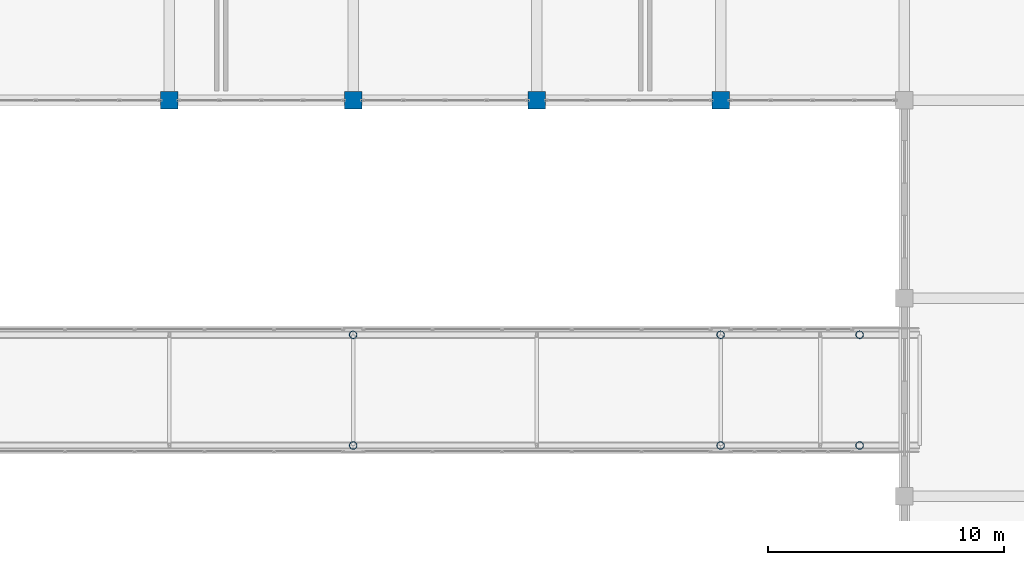
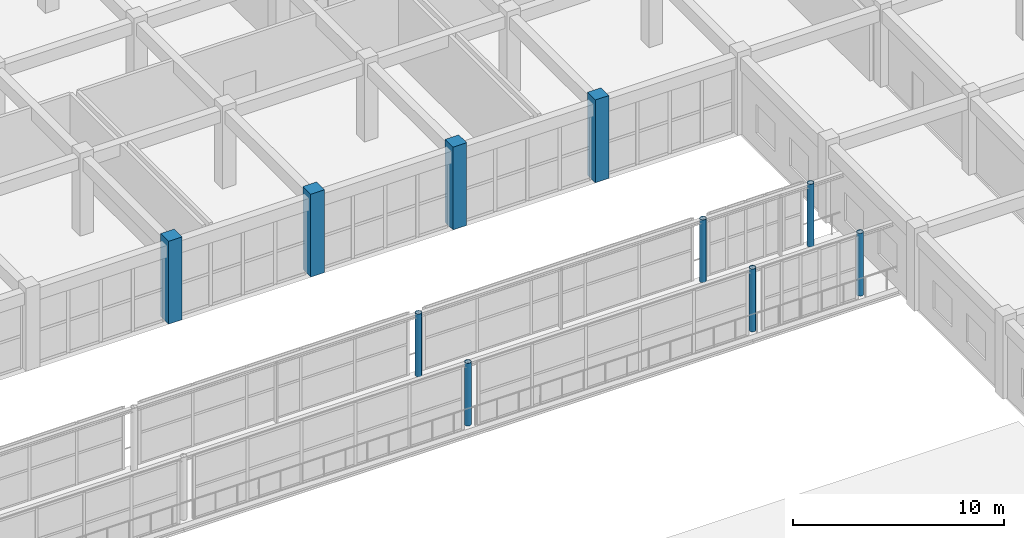
# One storey, part 3 of 167: 10 columns.
"""IFC4 building model written with IfcOpenShell, lengths in metres."""

import ifcopenshell
import ifcopenshell.guid

model = None  # the IFC model being written
_history = None  # IfcOwnerHistory: only IFC2X3 demands one
_inside = {}  # id of a spatial element -> (the spatial element, [elements in it])
_under = {}  # id of a project, library or spatial element -> (it, [spatial elements below it])
_declared = {}  # id of a project -> (the project, [libraries it declares])
_typed = {}  # id of a type object -> (the type object, [elements of that type])
_made_of = {}  # id of a material, layer set ... -> (it, [elements and type objects made of it])


def new_model(schema):
    """Start an empty IFC model of exactly this schema.

    Asked for "IFC4X3", IfcOpenShell would pick the latest addendum, in which some entities
    have other attributes; the version numbers below select the first issue.
    IFC2X3 requires an IfcOwnerHistory on every rooted entity: one is made here for all.
    """
    global model, _history
    if schema == "IFC4X3":
        model = ifcopenshell.file(schema_version=(4, 3, 0, 0))
    else:
        model = ifcopenshell.file(schema=schema)
    _inside.clear()
    _under.clear()
    _declared.clear()
    _typed.clear()
    _made_of.clear()
    _history = None
    if model.schema == "IFC2X3":
        org = make("IfcOrganization", Name="unknown")
        user = make(
            "IfcPersonAndOrganization",
            ThePerson=make("IfcPerson", FamilyName="unknown"),
            TheOrganization=org,
        )
        app = make(
            "IfcApplication",
            ApplicationDeveloper=org,
            Version="unknown",
            ApplicationFullName="unknown",
            ApplicationIdentifier="unknown",
        )
        _history = make(
            "IfcOwnerHistory",
            OwningUser=user,
            OwningApplication=app,
            ChangeAction="ADDED",
            CreationDate=0,
        )
    return model


def make(cls, **values):
    """One entity of the class cls with the attributes given. An attribute that is None is left unset."""
    return model.create_entity(
        cls, **{name: value for name, value in values.items() if value is not None}
    )


def rooted(cls, **values):
    """An entity with a GlobalId (a new one), such as an element, a storey or a relation."""
    return make(cls, GlobalId=ifcopenshell.guid.new(), OwnerHistory=_history, **values)


def si_unit(unit_type, name, prefix=None):
    """IfcSIUnit, for example si_unit("LENGTHUNIT", "METRE", prefix="MILLI")."""
    return make("IfcSIUnit", UnitType=unit_type, Prefix=prefix, Name=name)


def assignment(units):
    """IfcUnitAssignment: the units of a project."""
    return None if units is None else make("IfcUnitAssignment", Units=units)


def point(xyz):
    """IfcCartesianPoint."""
    return None if xyz is None else make("IfcCartesianPoint", Coordinates=xyz)


def direction(xyz):
    """IfcDirection."""
    return None if xyz is None else make("IfcDirection", DirectionRatios=xyz)


def frame(location, z_axis=None, x_axis=None):
    """IfcAxis2Placement3D, a coordinate frame: its origin and axes. An axis left out is left unset."""
    return make(
        "IfcAxis2Placement3D",
        Location=point(location),
        Axis=direction(z_axis),
        RefDirection=direction(x_axis),
    )


def frame_2d(location, x_axis=None):
    """IfcAxis2Placement2D, a coordinate frame in the plane: its origin and x axis."""
    return make(
        "IfcAxis2Placement2D", Location=point(location), RefDirection=direction(x_axis)
    )


def origin():
    """The frame at (0, 0, 0) with its axes left unset."""
    return frame((0.0, 0.0, 0.0))


def origin_2d():
    """The frame at (0, 0) in the plane with its x axis left unset."""
    return frame_2d((0.0, 0.0))


def place(relative_to, where):
    """IfcLocalPlacement: puts the frame where relative to a parent placement (None: the world)."""
    return make(
        "IfcLocalPlacement", PlacementRelTo=relative_to, RelativePlacement=where
    )


def context(
    kind, dimensions, precision=None, world=None, true_north=None, identifier=None
):
    """IfcGeometricRepresentationContext, for example the 3D "Model" context."""
    return make(
        "IfcGeometricRepresentationContext",
        ContextIdentifier=identifier,
        ContextType=kind,
        CoordinateSpaceDimension=dimensions,
        Precision=precision,
        WorldCoordinateSystem=world,
        TrueNorth=true_north,
    )


def subcontext(parent, identifier, kind, view, scale=None):
    """IfcGeometricRepresentationSubContext, for example "Body" below "Model"."""
    return make(
        "IfcGeometricRepresentationSubContext",
        ContextIdentifier=identifier,
        ContextType=kind,
        ParentContext=parent,
        TargetScale=scale,
        TargetView=view,
    )


def project(units=None, contexts=None):
    """IfcProject with its units and contexts."""
    return rooted(
        "IfcProject",
        Name="project",
        RepresentationContexts=contexts,
        UnitsInContext=assignment(units),
    )


def spatial(cls, under=None, at=None, **own):
    """A site, building, storey or space (cls), placed at a placement, below another one or the project."""
    s = rooted(cls, ObjectPlacement=at, **own)
    if under is not None:
        _under.setdefault(under.id(), (under, []))[1].append(s)
    return s


def profile(cls, at=None, kind="AREA", **sizes):
    """A parametric profile (cls). Its sizes go by their IFC names, for example OverallWidth=200.0."""
    return make(cls, ProfileType=kind, Position=at, **sizes)


def rectangle(**sizes):
    """IfcRectangleProfileDef."""
    return profile("IfcRectangleProfileDef", **sizes)


def hollow_circle(**sizes):
    """IfcCircleHollowProfileDef."""
    return profile("IfcCircleHollowProfileDef", **sizes)


def extrude(swept, where, along, depth):
    """IfcExtrudedAreaSolid: the profile swept, set in the frame where, extruded along a direction by depth."""
    return make(
        "IfcExtrudedAreaSolid",
        SweptArea=swept,
        Position=where,
        ExtrudedDirection=direction(along),
        Depth=depth,
    )


def shape(context_of_items, identifier, shape_type, items):
    """IfcShapeRepresentation: the items that make up one representation, for example the "Body"."""
    return make(
        "IfcShapeRepresentation",
        ContextOfItems=context_of_items,
        RepresentationIdentifier=identifier,
        RepresentationType=shape_type,
        Items=items,
    )


def material(Name=None, Category=None):
    """IfcMaterial."""
    return make("IfcMaterial", Name=Name, Category=Category)


def material_profile(
    of_material, cross_section, Name=None, Category=None, Priority=None
):
    """IfcMaterialProfile: a cross section and its material."""
    return make(
        "IfcMaterialProfile",
        Name=Name,
        Material=of_material,
        Profile=cross_section,
        Priority=Priority,
        Category=Category,
    )


def profile_set(profiles, Name=None, composite=None):
    """IfcMaterialProfileSet."""
    return make(
        "IfcMaterialProfileSet",
        Name=Name,
        MaterialProfiles=profiles,
        CompositeProfile=composite,
    )


def made_of(thing, what):
    """Note that an element or type object is made of a material, layer set ...; save() writes the relation."""
    if what is not None:
        _made_of.setdefault(what.id(), (what, []))[1].append(thing)
    return thing


def type_object(cls, material=None, **own):
    """A type object (cls), such as IfcWallType, which elements share."""
    return made_of(rooted(cls, **own), material)


def element(
    cls,
    number,
    at=None,
    inside=None,
    cuts=None,
    type_object=None,
    material=None,
    context=None,
    identifier="Body",
    shape_type=None,
    held_by="IfcProductDefinitionShape",
    body=None,
    shapes=None,
    **own,
):
    """One element of the class cls, such as IfcWall. Its Tag is "e" and its number.

    at: its placement. inside: the storey or other place that contains it. cuts: it is an
    opening in that element (IfcRelVoidsElement). A single representation is given by context,
    identifier, shape_type and body (its items); several are given by shapes. held_by: the class
    of the entity that holds the representations. save() writes the other relations.
    """
    e = rooted(cls, Tag="e%d" % number, ObjectPlacement=at, **own)
    if body is not None:
        shapes = [shape(context, identifier, shape_type, body)]
    if shapes is not None:
        e.Representation = make(held_by, Representations=shapes)
    if inside is not None:
        _inside.setdefault(inside.id(), (inside, []))[1].append(e)
    if cuts is not None:
        rooted(
            "IfcRelVoidsElement", RelatingBuildingElement=cuts, RelatedOpeningElement=e
        )
    if type_object is not None:
        _typed.setdefault(type_object.id(), (type_object, []))[1].append(e)
    return made_of(e, material)


def aggregate(whole, parts):
    """IfcRelAggregates: a whole, such as a stair, and the parts it consists of."""
    return rooted("IfcRelAggregates", RelatingObject=whole, RelatedObjects=parts)


def save(model, path):
    """Write the relations noted so far, then the file.

    IfcRelAggregates (storeys below a building ...), IfcRelContainedInSpatialStructure (elements
    in a storey), IfcRelDefinesByType, IfcRelAssociatesMaterial and IfcRelDeclares: one each for
    every whole, place, type object, material and project.
    """
    for whole, parts in _under.values():
        aggregate(whole, parts)
    for where, things in _inside.values():
        rooted(
            "IfcRelContainedInSpatialStructure",
            RelatedElements=things,
            RelatingStructure=where,
        )
    for kind, things in _typed.values():
        rooted("IfcRelDefinesByType", RelatedObjects=things, RelatingType=kind)
    for what, things in _made_of.values():
        rooted("IfcRelAssociatesMaterial", RelatedObjects=things, RelatingMaterial=what)
    for by, libraries in _declared.values():
        rooted("IfcRelDeclares", RelatingContext=by, RelatedDefinitions=libraries)
    model.write(path)


model = new_model("IFC4")

# Units and contexts
model_context = context("Model", 3, precision=1e-05, world=origin(), true_north=direction((0.0, 1.0)))
body_context = subcontext(model_context, "Body", "Model", "MODEL_VIEW")
ifc_project = project(units=[si_unit("LENGTHUNIT", "METRE"), si_unit("AREAUNIT", "SQUARE_METRE"), si_unit("VOLUMEUNIT", "CUBIC_METRE"), si_unit("PLANEANGLEUNIT", "RADIAN"), si_unit("MASSUNIT", "GRAM", prefix="KILO")], contexts=[model_context])

# Site, building, storey
site_placement = place(None, origin())
site = spatial("IfcSite", under=ifc_project, at=site_placement, CompositionType="ELEMENT")
building_placement = place(site_placement, origin())
building = spatial("IfcBuilding", under=site, at=building_placement, Name="Zizhar Promenade General Hospital", CompositionType="ELEMENT")
storey_placement = place(building_placement, frame((0.0, 0.0, 9.60009765625)))
storey = spatial("IfcBuildingStorey", under=building, at=storey_placement, Name="L02", CompositionType="ELEMENT", Elevation=9.60009765625)

# Columns
ifc_material_1 = material(Name="Concrete C40/50", Category="concrete")
ifc_material_profile_1 = material_profile(ifc_material_1, rectangle(XDim=0.75, YDim=0.75, at=origin_2d()))
ifc_profile_set_1 = profile_set([ifc_material_profile_1], Name="Concrete C40/50")
column_type_1 = type_object("IfcColumnType", Name="COL-RC-750", PredefinedType="COLUMN", material=ifc_profile_set_1)
for number, where, z_axis, x_axis, name in (
    (1, (93.60009765625, 92.39990234375, 0.0), (0.0, 0.0, 1.0), (1.0, 0.0, 0.0), "Column 13-M (L02)"),
    (2, (101.39990234375, 92.39990234375, 0.0), (0.0, 0.0, 1.0), (1.0, 0.0, 0.0), "Column 14-M (L02)"),
    (3, (109.199951171875, 92.39990234375, 0.0), (0.0, 0.0, 1.0), (1.0, 0.0, 0.0), "Column 15-M (L02)"),
    (4, (117.0, 92.39990234375, 0.0), (0.0, 0.0, 1.0), (1.0, 0.0, 0.0), "Column 16-M (L02)"),
):
    element("IfcColumn", number, at=place(storey_placement, frame(where, z_axis=z_axis, x_axis=x_axis)), inside=storey, type_object=column_type_1, Name=name, PredefinedType="COLUMN", context=body_context, shape_type="SweptSolid", body=[
        extrude(rectangle(XDim=0.75, YDim=0.75, at=origin_2d()), origin(), (0.0, 0.0, 1.0), 4.7998046875),
    ])
ifc_material_2 = material(Name="Steel S355", Category="steel")
ifc_material_profile_2 = material_profile(ifc_material_2, hollow_circle(Radius=0.161865234375, WallThickness=0.012451171875, at=origin_2d()))
ifc_profile_set_2 = profile_set([ifc_material_profile_2], Name="Steel S355")
column_type_2 = type_object("IfcColumnType", Name="COL-STL-CHS324", PredefinedType="COLUMN", material=ifc_profile_set_2)
for number, where, z_axis, x_axis, name in (
    (5, (101.39990234375, 77.75, 0.0), (0.0, 0.0, 1.0), (1.0, 0.0, 0.0), "SB-2 Courtyard Pier 2S (L02)"),
    (6, (101.39990234375, 82.449951171875, 0.0), (0.0, 0.0, 1.0), (1.0, 0.0, 0.0), "SB-2 Courtyard Pier 2N (L02)"),
    (7, (117.0, 77.75, 0.0), (0.0, 0.0, 1.0), (1.0, 0.0, 0.0), "SB-2 Courtyard Pier 3S (L02)"),
    (8, (117.0, 82.449951171875, 0.0), (0.0, 0.0, 1.0), (1.0, 0.0, 0.0), "SB-2 Courtyard Pier 3N (L02)"),
    (9, (122.89990234375, 77.75, 0.0), (0.0, 0.0, 1.0), (1.0, 0.0, 0.0), "SB-2 Abutment Pier 2S (L02)"),
    (10, (122.89990234375, 82.449951171875, 0.0), (0.0, 0.0, 1.0), (1.0, 0.0, 0.0), "SB-2 Abutment Pier 2N (L02)"),
):
    element("IfcColumn", number, at=place(storey_placement, frame(where, z_axis=z_axis, x_axis=x_axis)), inside=storey, type_object=column_type_2, Name=name, PredefinedType="COLUMN", context=body_context, shape_type="SweptSolid", body=[
        extrude(hollow_circle(Radius=0.161865234375, WallThickness=0.012451171875, at=origin_2d()), origin(), (0.0, 0.0, 1.0), 3.639892578125),
    ])

save(model, "model.ifc")
